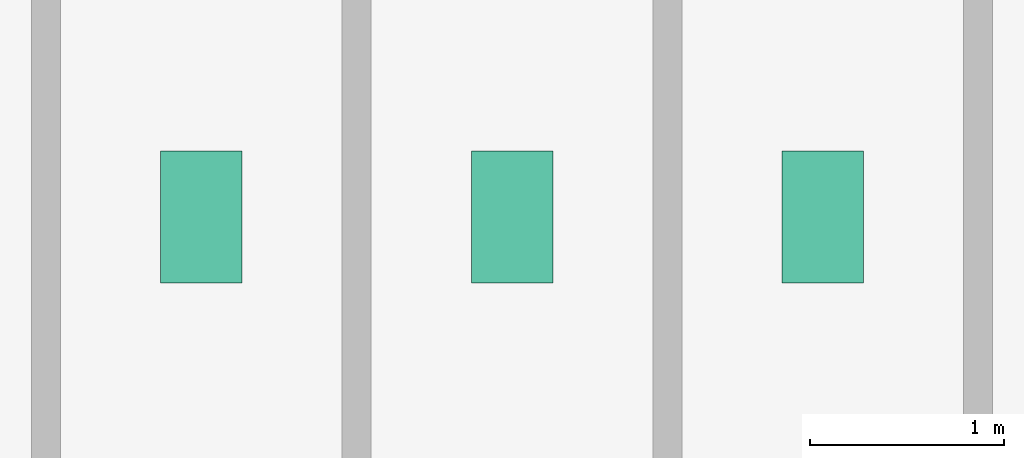
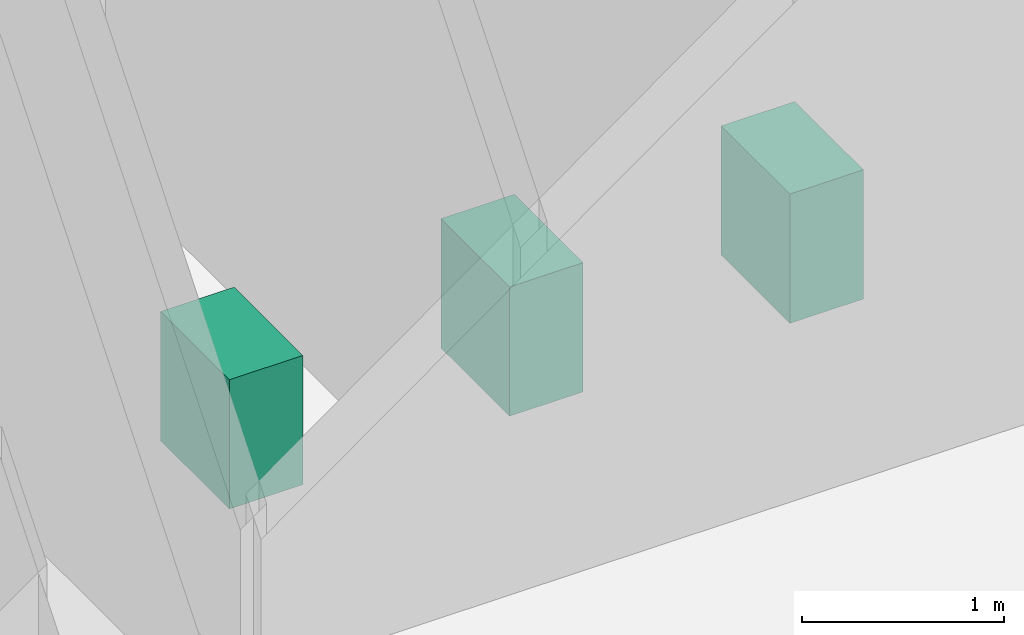
# One storey, part 22 of 22: 3 sanitary terminals.
"""IFC4 building model written with IfcOpenShell, lengths in metres."""

from ifc_helpers import new_model, si_unit, derived_unit, direction, frame, origin, origin_2d, place, context, subcontext, project, spatial, rectangle, extrude, source, transform, mapped, material, type_object, element, save


model = new_model("IFC4")

# Units and contexts
model_context = context("Model", 3, precision=1e-05, world=origin(), true_north=direction((0.0, 1.0)))
body_context = subcontext(model_context, "Body", "Model", "MODEL_VIEW")
ifc_project = project(units=[si_unit("LENGTHUNIT", "METRE"), si_unit("AREAUNIT", "SQUARE_METRE"), si_unit("VOLUMEUNIT", "CUBIC_METRE"), si_unit("PLANEANGLEUNIT", "RADIAN"), si_unit("MASSUNIT", "GRAM", prefix="KILO"), derived_unit("THERMALTRANSMITTANCEUNIT", [(si_unit("POWERUNIT", "WATT"), 1), (si_unit("LENGTHUNIT", "METRE"), -2), (si_unit("THERMODYNAMICTEMPERATUREUNIT", "KELVIN"), -1)])], contexts=[model_context])

# Site, building, storey
site_placement = place(None, origin())
site = spatial("IfcSite", under=ifc_project, at=site_placement, CompositionType="ELEMENT")
building_placement = place(site_placement, origin())
building = spatial("IfcBuilding", under=site, at=building_placement, Name="Skarnbrae Concourse Arena and Tower", CompositionType="ELEMENT")
storey_placement = place(building_placement, frame((0.0, 0.0, 247.85009765625)))
storey = spatial("IfcBuildingStorey", under=building, at=storey_placement, Name="L64", CompositionType="ELEMENT", Elevation=247.85009765625)

# Sanitary terminals
ifc_material = material(Name="Vitreous china sanitaryware", Category="other")
sanitary_terminal_type = type_object("IfcSanitaryTerminalType", Name="SAN-WC-VITREOUS", PredefinedType="TOILETPAN", material=ifc_material)
shared_shape = source(origin(), body_context, "Body", "SweptSolid", [
    extrude(rectangle(XDim=0.419921875, YDim=0.679931640625, at=origin_2d()), origin(), (0.0, 0.0, 1.0), 0.780029296875),
])
for number, where, z_axis, x_axis, name in (
    (1, (35.0, 11.39990234375, 0.0), (0.0, 0.0, 1.0), (1.0, 0.0, 0.0), "L64 Washroom WC fixture 1"),
    (2, (36.60009765625, 11.39990234375, 0.0), (0.0, 0.0, 1.0), (1.0, 0.0, 0.0), "L64 Washroom WC fixture 2"),
    (3, (38.199951171875, 11.39990234375, 0.0), (0.0, 0.0, 1.0), (1.0, 0.0, 0.0), "L64 Washroom WC fixture 3"),
):
    element("IfcSanitaryTerminal", number, at=place(storey_placement, frame(where, z_axis=z_axis, x_axis=x_axis)), inside=storey, type_object=sanitary_terminal_type, Name=name, PredefinedType="TOILETPAN", context=body_context, shape_type="MappedRepresentation", body=[
        mapped(shared_shape, transform((0.0, 0.0, 0.0))),
    ])

save(model, "model.ifc")
